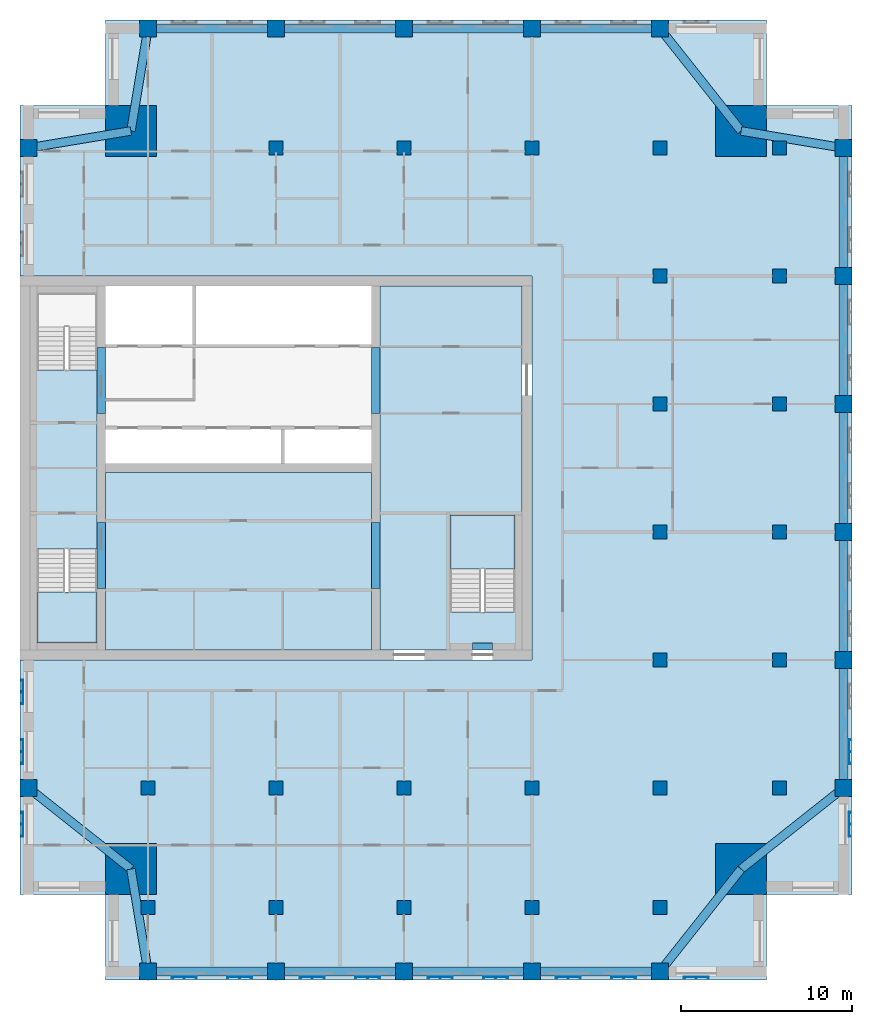
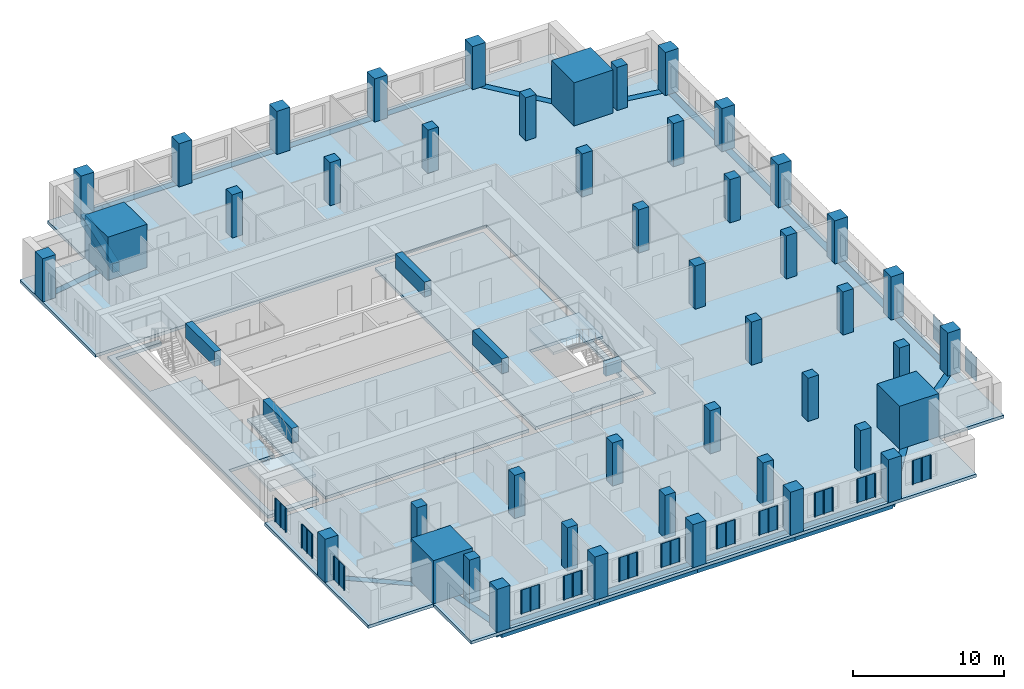
# One storey, part 1 of 10: 46 columns, 26 beams, 14 plates, 6 slabs, 2 elements without a shape of their own.
"""IFC4 building model written with IfcOpenShell, lengths in metres."""

from ifc_helpers import new_model, si_unit, direction, frame, origin, origin_2d, place, context, subcontext, project, spatial, polyline, rectangle, outline, extrude, material, layer, layer_set, material_profile, profile_set, type_object, element, aggregate, save


model = new_model("IFC4")

# Units and contexts
model_context = context("Model", 3, precision=1e-05, world=origin(), true_north=direction((0.0, 1.0)))
body_context = subcontext(model_context, "Body", "Model", "MODEL_VIEW")
ifc_project = project(units=[si_unit("LENGTHUNIT", "METRE"), si_unit("AREAUNIT", "SQUARE_METRE"), si_unit("VOLUMEUNIT", "CUBIC_METRE"), si_unit("PLANEANGLEUNIT", "RADIAN"), si_unit("MASSUNIT", "GRAM", prefix="KILO")], contexts=[model_context])

# Site, building, storey
site_placement = place(None, origin())
site = spatial("IfcSite", under=ifc_project, at=site_placement, CompositionType="ELEMENT")
building_placement = place(site_placement, origin())
building = spatial("IfcBuilding", under=site, at=building_placement, Name="Tamorin Gate", CompositionType="ELEMENT")
storey_placement = place(building_placement, frame((0.0, 0.0, 237.199951171875)))
storey = spatial("IfcBuildingStorey", under=building, at=storey_placement, Name="L59", CompositionType="ELEMENT", Elevation=237.199951171875)

# Columns
ifc_material_1 = material(Name="Concrete C50/60", Category="concrete")
ifc_material_profile_1 = material_profile(ifc_material_1, rectangle(XDim=1.0, YDim=1.0, at=origin_2d()), Name="RC 1000x1000")
ifc_profile_set_1 = profile_set([ifc_material_profile_1], Name="Concrete C50/60")
column_type_1 = type_object("IfcColumnType", Name="RC column 1000x1000 C50/60", PredefinedType="COLUMN", material=ifc_profile_set_1)
for number, where, z_axis, x_axis, name in (
    (1, (37.5, 41.75, 0.0), (0.0, 0.0, 1.0), (1.0, 0.0, 0.0), "Ring column L59"),
    (2, (45.0, 41.75, 0.0), (0.0, 0.0, 1.0), (1.0, 0.0, 0.0), "Ring column L59"),
    (3, (52.5, 41.75, 0.0), (0.0, 0.0, 1.0), (1.0, 0.0, 0.0), "Ring column L59"),
    (4, (60.0, 41.75, 0.0), (0.0, 0.0, 1.0), (1.0, 0.0, 0.0), "Ring column L59"),
    (5, (67.5, 41.75, 0.0), (0.0, 0.0, 1.0), (1.0, 0.0, 0.0), "Ring column L59"),
    (6, (78.25, 52.5, 0.0), (0.0, 0.0, 1.0), (1.0, 0.0, 0.0), "Ring column L59"),
    (7, (78.25, 60.0, 0.0), (0.0, 0.0, 1.0), (1.0, 0.0, 0.0), "Ring column L59"),
    (8, (78.25, 67.5, 0.0), (0.0, 0.0, 1.0), (1.0, 0.0, 0.0), "Ring column L59"),
    (9, (78.25, 75.0, 0.0), (0.0, 0.0, 1.0), (1.0, 0.0, 0.0), "Ring column L59"),
    (10, (78.25, 82.5, 0.0), (0.0, 0.0, 1.0), (1.0, 0.0, 0.0), "Ring column L59"),
    (11, (78.25, 90.0, 0.0), (0.0, 0.0, 1.0), (1.0, 0.0, 0.0), "Ring column L59"),
    (12, (30.5, 52.5, 0.0), (0.0, 0.0, 1.0), (1.0, 0.0, 0.0), "Ring column L59"),
    (13, (30.5, 90.0, 0.0), (0.0, 0.0, 1.0), (1.0, 0.0, 0.0), "Ring column L59"),
    (14, (37.5, 97.0, 0.0), (0.0, 0.0, 1.0), (1.0, 0.0, 0.0), "Ring column L59"),
    (15, (45.0, 97.0, 0.0), (0.0, 0.0, 1.0), (1.0, 0.0, 0.0), "Ring column L59"),
    (16, (52.5, 97.0, 0.0), (0.0, 0.0, 1.0), (1.0, 0.0, 0.0), "Ring column L59"),
    (17, (60.0, 97.0, 0.0), (0.0, 0.0, 1.0), (1.0, 0.0, 0.0), "Ring column L59"),
    (18, (67.5, 97.0, 0.0), (0.0, 0.0, 1.0), (1.0, 0.0, 0.0), "Ring column L59"),
):
    element("IfcColumn", number, at=place(storey_placement, frame(where, z_axis=z_axis, x_axis=x_axis)), inside=storey, type_object=column_type_1, Name=name, PredefinedType="COLUMN", context=body_context, shape_type="SweptSolid", body=[
        extrude(rectangle(XDim=1.0, YDim=1.0, at=origin_2d()), origin(), (0.0, 0.0, 1.0), 3.5),
    ])
ifc_material_profile_2 = material_profile(ifc_material_1, rectangle(XDim=3.0, YDim=3.0, at=origin_2d()), Name="RC 3000x3000")
ifc_profile_set_2 = profile_set([ifc_material_profile_2], Name="Concrete C50/60")
column_type_2 = type_object("IfcColumnType", Name="RC column 3000x3000 C50/60", PredefinedType="COLUMN", material=ifc_profile_set_2)
for number, where, z_axis, x_axis, name in (
    (19, (36.5, 47.75, 0.0), (0.0, 0.0, 1.0), (1.0, 0.0, 0.0), "Mega column SW L59"),
    (20, (72.25, 47.75, 0.0), (0.0, 0.0, 1.0), (1.0, 0.0, 0.0), "Mega column SE L59"),
    (21, (36.5, 91.0, 0.0), (0.0, 0.0, 1.0), (1.0, 0.0, 0.0), "Mega column NW L59"),
    (22, (72.25, 91.0, 0.0), (0.0, 0.0, 1.0), (1.0, 0.0, 0.0), "Mega column NE L59"),
):
    element("IfcColumn", number, at=place(storey_placement, frame(where, z_axis=z_axis, x_axis=x_axis)), inside=storey, type_object=column_type_2, Name=name, PredefinedType="COLUMN", context=body_context, shape_type="SweptSolid", body=[
        extrude(rectangle(XDim=3.0, YDim=3.0, at=origin_2d()), origin(), (0.0, 0.0, 1.0), 3.5),
    ])
ifc_material_profile_3 = material_profile(ifc_material_1, rectangle(XDim=0.800048828125, YDim=0.800048828125, at=origin_2d()), Name="RC 800x800")
ifc_profile_set_3 = profile_set([ifc_material_profile_3], Name="Concrete C50/60")
column_type_3 = type_object("IfcColumnType", Name="RC column 800x800 C50/60", PredefinedType="COLUMN", material=ifc_profile_set_3)
for number, where, z_axis, x_axis, name in (
    (23, (37.5, 45.5, 0.0), (0.0, 0.0, 1.0), (1.0, 0.0, 0.0), "Interior column L59"),
    (24, (37.5, 52.5, 0.0), (0.0, 0.0, 1.0), (1.0, 0.0, 0.0), "Interior column L59"),
    (25, (45.0, 45.5, 0.0), (0.0, 0.0, 1.0), (1.0, 0.0, 0.0), "Interior column L59"),
    (26, (45.0, 52.5, 0.0), (0.0, 0.0, 1.0), (1.0, 0.0, 0.0), "Interior column L59"),
    (27, (45.0, 90.0, 0.0), (0.0, 0.0, 1.0), (1.0, 0.0, 0.0), "Interior column L59"),
    (28, (52.5, 45.5, 0.0), (0.0, 0.0, 1.0), (1.0, 0.0, 0.0), "Interior column L59"),
    (29, (52.5, 52.5, 0.0), (0.0, 0.0, 1.0), (1.0, 0.0, 0.0), "Interior column L59"),
    (30, (52.5, 90.0, 0.0), (0.0, 0.0, 1.0), (1.0, 0.0, 0.0), "Interior column L59"),
    (31, (60.0, 45.5, 0.0), (0.0, 0.0, 1.0), (1.0, 0.0, 0.0), "Interior column L59"),
    (32, (60.0, 52.5, 0.0), (0.0, 0.0, 1.0), (1.0, 0.0, 0.0), "Interior column L59"),
    (33, (60.0, 90.0, 0.0), (0.0, 0.0, 1.0), (1.0, 0.0, 0.0), "Interior column L59"),
    (34, (67.5, 45.5, 0.0), (0.0, 0.0, 1.0), (1.0, 0.0, 0.0), "Interior column L59"),
    (35, (67.5, 52.5, 0.0), (0.0, 0.0, 1.0), (1.0, 0.0, 0.0), "Interior column L59"),
    (36, (67.5, 60.0, 0.0), (0.0, 0.0, 1.0), (1.0, 0.0, 0.0), "Interior column L59"),
    (37, (67.5, 67.5, 0.0), (0.0, 0.0, 1.0), (1.0, 0.0, 0.0), "Interior column L59"),
    (38, (67.5, 75.0, 0.0), (0.0, 0.0, 1.0), (1.0, 0.0, 0.0), "Interior column L59"),
    (39, (67.5, 82.5, 0.0), (0.0, 0.0, 1.0), (1.0, 0.0, 0.0), "Interior column L59"),
    (40, (67.5, 90.0, 0.0), (0.0, 0.0, 1.0), (1.0, 0.0, 0.0), "Interior column L59"),
    (41, (74.5, 52.5, 0.0), (0.0, 0.0, 1.0), (1.0, 0.0, 0.0), "Interior column L59"),
    (42, (74.5, 60.0, 0.0), (0.0, 0.0, 1.0), (1.0, 0.0, 0.0), "Interior column L59"),
    (43, (74.5, 67.5, 0.0), (0.0, 0.0, 1.0), (1.0, 0.0, 0.0), "Interior column L59"),
    (44, (74.5, 75.0, 0.0), (0.0, 0.0, 1.0), (1.0, 0.0, 0.0), "Interior column L59"),
    (45, (74.5, 82.5, 0.0), (0.0, 0.0, 1.0), (1.0, 0.0, 0.0), "Interior column L59"),
    (46, (74.5, 90.0, 0.0), (0.0, 0.0, 1.0), (1.0, 0.0, 0.0), "Interior column L59"),
):
    element("IfcColumn", number, at=place(storey_placement, frame(where, z_axis=z_axis, x_axis=x_axis)), inside=storey, type_object=column_type_3, Name=name, PredefinedType="COLUMN", context=body_context, shape_type="SweptSolid", body=[
        extrude(rectangle(XDim=0.800048828125, YDim=0.800048828125, at=origin_2d()), origin(), (0.0, 0.0, 1.0), 3.5),
    ])

# Beams
ifc_material_profile_4 = material_profile(ifc_material_1, rectangle(XDim=0.5, YDim=1.199951171875, at=origin_2d()), Name="RC 500x1200")
ifc_profile_set_4 = profile_set([ifc_material_profile_4], Name="Concrete C50/60")
beam_type_1 = type_object("IfcBeamType", Name="RC coupling beam 500x1200 C50/60", PredefinedType="BEAM", material=ifc_profile_set_4)
for number, where, z_axis, x_axis, name in (
    (47, (34.75, 64.199951171875, 2.900146484375), (0.0, 1.0, 0.0), (-1.0, 0.0, 0.0), "Coupling beam L59"),
    (48, (34.75, 74.449951171875, 2.900146484375), (0.0, 1.0, 0.0), (-1.0, 0.0, 0.0), "Coupling beam L59"),
    (49, (50.85009765625, 64.199951171875, 2.900146484375), (0.0, 1.0, 0.0), (-1.0, 0.0, 0.0), "Coupling beam L59"),
    (50, (50.85009765625, 74.449951171875, 2.900146484375), (0.0, 1.0, 0.0), (-1.0, 0.0, 0.0), "Coupling beam L59"),
):
    element("IfcBeam", number, at=place(storey_placement, frame(where, z_axis=z_axis, x_axis=x_axis)), inside=storey, type_object=beam_type_1, Name=name, PredefinedType="BEAM", context=body_context, shape_type="SweptSolid", body=[
        extrude(rectangle(XDim=0.5, YDim=1.199951171875, at=origin_2d()), origin(), (0.0, 0.0, 1.0), 3.85009765625),
    ])
ifc_material_profile_5 = material_profile(ifc_material_1, rectangle(XDim=0.5, YDim=0.75, at=origin_2d()), Name="RC 500x750")
ifc_profile_set_5 = profile_set([ifc_material_profile_5], Name="Concrete C50/60")
beam_type_2 = type_object("IfcBeamType", Name="RC spandrel 500x750 C50/60", PredefinedType="BEAM", material=ifc_profile_set_5)
for number, where, z_axis, x_axis, name in (
    (51, (37.5, 41.75, -0.375), (1.0, 0.0, 0.0), (0.0, 1.0, 0.0), "Spandrel beam L59"),
    (52, (45.0, 41.75, -0.375), (1.0, 0.0, 0.0), (0.0, 1.0, 0.0), "Spandrel beam L59"),
    (53, (52.5, 41.75, -0.375), (1.0, 0.0, 0.0), (0.0, 1.0, 0.0), "Spandrel beam L59"),
    (54, (60.0, 41.75, -0.375), (1.0, 0.0, 0.0), (0.0, 1.0, 0.0), "Spandrel beam L59"),
    (55, (78.25, 52.5, -0.375), (0.0, 1.0, 0.0), (-1.0, 0.0, 0.0), "Spandrel beam L59"),
    (56, (78.25, 60.0, -0.375), (0.0, 1.0, 0.0), (-1.0, 0.0, 0.0), "Spandrel beam L59"),
    (57, (78.25, 67.5, -0.375), (0.0, 1.0, 0.0), (-1.0, 0.0, 0.0), "Spandrel beam L59"),
    (58, (78.25, 75.0, -0.375), (0.0, 1.0, 0.0), (-1.0, 0.0, 0.0), "Spandrel beam L59"),
    (59, (78.25, 82.5, -0.375), (0.0, 1.0, 0.0), (-1.0, 0.0, 0.0), "Spandrel beam L59"),
    (60, (67.5, 97.0, -0.375), (-1.0, 0.0, 0.0), (0.0, -1.0, 0.0), "Spandrel beam L59"),
    (61, (60.0, 97.0, -0.375), (-1.0, 0.0, 0.0), (0.0, -1.0, 0.0), "Spandrel beam L59"),
    (62, (52.5, 97.0, -0.375), (-1.0, 0.0, 0.0), (0.0, -1.0, 0.0), "Spandrel beam L59"),
    (63, (45.0, 97.0, -0.375), (-1.0, 0.0, 0.0), (0.0, -1.0, 0.0), "Spandrel beam L59"),
):
    element("IfcBeam", number, at=place(storey_placement, frame(where, z_axis=z_axis, x_axis=x_axis)), inside=storey, type_object=beam_type_2, Name=name, PredefinedType="BEAM", context=body_context, shape_type="SweptSolid", body=[
        extrude(rectangle(XDim=0.5, YDim=0.75, at=origin_2d()), origin(), (0.0, 0.0, 1.0), 7.5),
    ])
beam_1_placement = place(storey_placement, frame((36.5, 47.75, -0.375), z_axis=(0.164398987305, -0.986393923832, 0.0), x_axis=(0.986393923832, 0.164398987305, 0.0)))
element("IfcBeam", 64, at=beam_1_placement, inside=storey, type_object=beam_type_2, Name="Corner tie beam L59", PredefinedType="BEAM", context=body_context, shape_type="SweptSolid", body=[
    extrude(rectangle(XDim=0.5, YDim=0.75, at=origin_2d()), origin(), (0.0, 0.0, 1.0), 6.082763671875),
])
for number, where, z_axis, x_axis, name in (
    (65, (36.5, 47.75, -0.375), (-0.784045824462, 0.620702944366, 0.0), (-0.620702944366, -0.784045824462, 0.0), "Corner tie beam L59"),
    (66, (72.25, 47.75, -0.375), (-0.620702944366, -0.784045824462, 0.0), (0.784045824462, -0.620702944366, 0.0), "Corner tie beam L59"),
    (67, (72.25, 47.75, -0.375), (0.784045824462, 0.620702944366, 0.0), (-0.620702944366, 0.784045824462, 0.0), "Corner tie beam L59"),
):
    element("IfcBeam", number, at=place(storey_placement, frame(where, z_axis=z_axis, x_axis=x_axis)), inside=storey, type_object=beam_type_2, Name=name, PredefinedType="BEAM", context=body_context, shape_type="SweptSolid", body=[
        extrude(rectangle(XDim=0.5, YDim=0.75, at=origin_2d()), origin(), (0.0, 0.0, 1.0), 7.652587890625),
    ])
for number, where, z_axis, x_axis, name in (
    (68, (36.5, 91.0, -0.375), (-0.986393923832, -0.164398987305, 0.0), (0.164398987305, -0.986393923832, 0.0), "Corner tie beam L59"),
    (69, (36.5, 91.0, -0.375), (0.164398987305, 0.986393923832, 0.0), (-0.986393923832, 0.164398987305, 0.0), "Corner tie beam L59"),
    (70, (72.25, 91.0, -0.375), (0.986393923832, -0.164398987305, 0.0), (0.164398987305, 0.986393923832, 0.0), "Corner tie beam L59"),
):
    element("IfcBeam", number, at=place(storey_placement, frame(where, z_axis=z_axis, x_axis=x_axis)), inside=storey, type_object=beam_type_2, Name=name, PredefinedType="BEAM", context=body_context, shape_type="SweptSolid", body=[
        extrude(rectangle(XDim=0.5, YDim=0.75, at=origin_2d()), origin(), (0.0, 0.0, 1.0), 6.082763671875),
    ])
beam_2_placement = place(storey_placement, frame((72.25, 91.0, -0.375), z_axis=(-0.620702944366, 0.784045824462, 0.0), x_axis=(-0.784045824462, -0.620702944366, 0.0)))
element("IfcBeam", 71, at=beam_2_placement, inside=storey, type_object=beam_type_2, Name="Corner tie beam L59", PredefinedType="BEAM", context=body_context, shape_type="SweptSolid", body=[
    extrude(rectangle(XDim=0.5, YDim=0.75, at=origin_2d()), origin(), (0.0, 0.0, 1.0), 7.652587890625),
])
ifc_material_profile_6 = material_profile(ifc_material_1, rectangle(XDim=0.39990234375, YDim=1.0, at=origin_2d()))
ifc_profile_set_6 = profile_set([ifc_material_profile_6], Name="Concrete C50/60")
beam_type_3 = type_object("IfcBeamType", Name="Stair lintel 400x1000 C50/60", PredefinedType="BEAM", material=ifc_profile_set_6)
beam_3_placement = place(storey_placement, frame((56.5, 60.800048828125, 2.699951171875), z_axis=(1.0, 0.0, 0.0), x_axis=(0.0, 1.0, 0.0)))
element("IfcBeam", 72, at=beam_3_placement, inside=storey, type_object=beam_type_3, Name="Stair lintel", PredefinedType="BEAM", context=body_context, shape_type="SweptSolid", body=[
    extrude(rectangle(XDim=0.39990234375, YDim=1.0, at=origin_2d()), origin(), (0.0, 0.0, 1.0), 1.199951171875),
])

# Slabs
ifc_material_2 = material(Name="Concrete C40/50", Category="concrete")
ifc_layer_1 = layer(ifc_material_2, 0.25)
ifc_layer_set_1 = layer_set([ifc_layer_1], Name="Core floor slab 250 C40/50")
slab_type_1 = type_object("IfcSlabType", Name="Core floor slab 250 C40/50", PredefinedType="FLOOR", material=ifc_layer_set_1)
slab_1_placement = place(storey_placement, frame((0.0, 0.0, -0.25)))
element("IfcSlab", 73, at=slab_1_placement, inside=storey, type_object=slab_type_1, Name="Core floor L59", PredefinedType="FLOOR", context=body_context, shape_type="SweptSolid", body=[
    extrude(outline(polyline([(51.10009765625, 81.89990234375), (59.39990234375, 81.89990234375), (59.39990234375, 60.60009765625), (51.10009765625, 60.60009765625), (51.10009765625, 81.89990234375)]), holes=[polyline([(55.199951171875, 62.800048828125), (59.0, 62.800048828125), (59.0, 68.5), (55.199951171875, 68.5), (55.199951171875, 62.800048828125)])]), origin(), (0.0, 0.0, 1.0), 0.25),
])
slab_2_placement = place(storey_placement, frame((0.0, 0.0, -0.25)))
element("IfcSlab", 74, at=slab_2_placement, inside=storey, type_object=slab_type_1, Name="Core floor L59", PredefinedType="FLOOR", context=body_context, shape_type="SweptSolid", body=[
    extrude(outline(polyline([(50.60009765625, 71.0), (50.60009765625, 60.60009765625), (35.0, 60.60009765625), (35.0, 71.0), (50.60009765625, 71.0)])), origin(), (0.0, 0.0, 1.0), 0.25),
])
slab_3_placement = place(storey_placement, frame((0.0, 0.0, -0.25)))
element("IfcSlab", 75, at=slab_3_placement, inside=storey, type_object=slab_type_1, Name="Core floor L59", PredefinedType="FLOOR", context=body_context, shape_type="SweptSolid", body=[
    extrude(outline(polyline([(34.5, 60.60009765625), (30.60009765625, 60.60009765625), (30.60009765625, 81.89990234375), (34.5, 81.89990234375), (34.5, 81.5), (31.0, 81.5), (31.0, 77.0), (34.5, 77.0), (34.5, 66.5), (31.0, 66.5), (31.0, 61.0), (34.5, 61.0), (34.5, 60.60009765625)])), origin(), (0.0, 0.0, 1.0), 0.25),
])

# Stair, slab
stair_type = type_object("IfcStairType", Name="Exit stair", PredefinedType="HALF_TURN_STAIR", material=ifc_material_2)
stair_1_placement = place(storey_placement, origin())
stair_1 = element("IfcStair", 76, at=stair_1_placement, inside=storey, type_object=stair_type, Name="L59 stair ST1", PredefinedType="HALF_TURN_STAIR")
ifc_layer_2 = layer(ifc_material_2, 0.199951171875)
ifc_layer_set_2 = layer_set([ifc_layer_2], Name="Exit stair landing 200")
slab_type_2 = type_object("IfcSlabType", Name="Exit stair landing 200", PredefinedType="LANDING", material=ifc_layer_set_2)
slab_4_placement = place(storey_placement, frame((0.0, 0.0, 1.550048828125)))
slab_4 = element("IfcSlab", 77, at=slab_4_placement, type_object=slab_type_2, Name="ST1 landing 1", PredefinedType="LANDING", context=body_context, shape_type="SweptSolid", body=[
    extrude(outline(polyline([(31.0, 63.97998046875), (31.0, 61.0), (34.5, 61.0), (34.5, 63.97998046875), (31.0, 63.97998046875)])), origin(), (0.0, 0.0, 1.0), 0.199951171875),
])
aggregate(stair_1, [slab_4])

stair_2_placement = place(storey_placement, origin())
stair_2 = element("IfcStair", 78, at=stair_2_placement, inside=storey, type_object=stair_type, Name="L59 stair ST3", PredefinedType="HALF_TURN_STAIR")
slab_5_placement = place(storey_placement, frame((0.0, 0.0, 1.550048828125)))
slab_5 = element("IfcSlab", 79, at=slab_5_placement, type_object=slab_type_2, Name="ST3 landing 1", PredefinedType="LANDING", context=body_context, shape_type="SweptSolid", body=[
    extrude(outline(polyline([(59.0, 65.320068359375), (59.0, 68.5), (55.199951171875, 68.5), (55.199951171875, 65.320068359375), (59.0, 65.320068359375)])), origin(), (0.0, 0.0, 1.0), 0.199951171875),
])
aggregate(stair_2, [slab_5])

# Slab
ifc_layer_3 = layer(ifc_material_2, 0.25)
ifc_layer_set_3 = layer_set([ifc_layer_3], Name="Floor slab 250 C40/50")
slab_type_3 = type_object("IfcSlabType", Name="Floor slab 250 C40/50", PredefinedType="FLOOR", material=ifc_layer_set_3)
slab_6_placement = place(storey_placement, frame((0.0, 0.0, -0.25)))
element("IfcSlab", 80, at=slab_6_placement, inside=storey, type_object=slab_type_3, Name="Floor L59", PredefinedType="FLOOR", context=body_context, shape_type="SweptSolid", body=[
    extrude(outline(polyline([(30.0, 92.5), (35.0, 92.5), (35.0, 97.5), (73.75, 97.5), (73.75, 92.5), (78.75, 92.5), (78.75, 46.25), (73.75, 46.25), (73.75, 41.25), (35.0, 41.25), (35.0, 46.25), (30.0, 46.25), (30.0, 60.0), (60.0, 60.0), (60.0, 82.5), (30.0, 82.5), (30.0, 92.5)])), origin(), (0.0, 0.0, 1.0), 0.25),
])

# Plates
ifc_material_3 = material(Name="Perforated pale aluminium sheet", Category="aluminium")
ifc_layer_4 = layer(ifc_material_3, 0.0400390625)
ifc_layer_set_4 = layer_set([ifc_layer_4], Name="Pale metal solar screen 1440")
plate_type = type_object("IfcPlateType", Name="Pale metal solar screen 1440", PredefinedType="SHEET", material=ifc_layer_set_4)
plate_1_placement = place(storey_placement, frame((0.0, 0.0, 0.737548828125)))
element("IfcPlate", 81, at=plate_1_placement, inside=storey, type_object=plate_type, Name="Perforated solar screen", PredefinedType="SHEET", context=body_context, shape_type="SweptSolid", body=[
    extrude(outline(polyline([(38.905029296875, 41.409912109375), (38.905029296875, 41.449951171875), (38.965087890625, 41.449951171875), (39.594970703125, 41.449951171875), (39.655029296875, 41.449951171875), (40.284912109375, 41.449951171875), (40.344970703125, 41.449951171875), (40.344970703125, 41.449951171875), (40.344970703125, 41.409912109375), (40.344970703125, 41.409912109375), (40.344970703125, 41.35009765625), (40.284912109375, 41.35009765625), (40.284912109375, 41.409912109375), (39.655029296875, 41.409912109375), (39.655029296875, 41.35009765625), (39.594970703125, 41.35009765625), (39.594970703125, 41.409912109375), (38.965087890625, 41.409912109375), (38.965087890625, 41.35009765625), (38.905029296875, 41.35009765625), (38.905029296875, 41.409912109375)])), origin(), (0.0, 0.0, 1.0), 1.925048828125),
])
plate_2_placement = place(storey_placement, frame((0.0, 0.0, 0.737548828125)))
element("IfcPlate", 82, at=plate_2_placement, inside=storey, type_object=plate_type, Name="Perforated solar screen", PredefinedType="SHEET", context=body_context, shape_type="SweptSolid", body=[
    extrude(outline(polyline([(42.155029296875, 41.409912109375), (42.155029296875, 41.449951171875), (42.215087890625, 41.449951171875), (42.844970703125, 41.449951171875), (42.905029296875, 41.449951171875), (43.534912109375, 41.449951171875), (43.594970703125, 41.449951171875), (43.594970703125, 41.409912109375), (43.594970703125, 41.35009765625), (43.534912109375, 41.35009765625), (43.534912109375, 41.409912109375), (42.905029296875, 41.409912109375), (42.905029296875, 41.35009765625), (42.844970703125, 41.35009765625), (42.844970703125, 41.409912109375), (42.215087890625, 41.409912109375), (42.215087890625, 41.35009765625), (42.155029296875, 41.35009765625), (42.155029296875, 41.409912109375)])), origin(), (0.0, 0.0, 1.0), 1.925048828125),
])
plate_3_placement = place(storey_placement, frame((0.0, 0.0, 0.737548828125)))
element("IfcPlate", 83, at=plate_3_placement, inside=storey, type_object=plate_type, Name="Perforated solar screen", PredefinedType="SHEET", context=body_context, shape_type="SweptSolid", body=[
    extrude(outline(polyline([(46.405029296875, 41.409912109375), (46.405029296875, 41.449951171875), (46.465087890625, 41.449951171875), (47.094970703125, 41.449951171875), (47.155029296875, 41.449951171875), (47.784912109375, 41.449951171875), (47.844970703125, 41.449951171875), (47.844970703125, 41.409912109375), (47.844970703125, 41.35009765625), (47.784912109375, 41.35009765625), (47.784912109375, 41.409912109375), (47.155029296875, 41.409912109375), (47.155029296875, 41.35009765625), (47.094970703125, 41.35009765625), (47.094970703125, 41.409912109375), (46.465087890625, 41.409912109375), (46.465087890625, 41.35009765625), (46.405029296875, 41.35009765625), (46.405029296875, 41.409912109375)])), origin(), (0.0, 0.0, 1.0), 1.925048828125),
])
plate_4_placement = place(storey_placement, frame((0.0, 0.0, 0.737548828125)))
element("IfcPlate", 84, at=plate_4_placement, inside=storey, type_object=plate_type, Name="Perforated solar screen", PredefinedType="SHEET", context=body_context, shape_type="SweptSolid", body=[
    extrude(outline(polyline([(49.655029296875, 41.409912109375), (49.655029296875, 41.449951171875), (49.715087890625, 41.449951171875), (50.344970703125, 41.449951171875), (50.405029296875, 41.449951171875), (51.034912109375, 41.449951171875), (51.094970703125, 41.449951171875), (51.094970703125, 41.409912109375), (51.094970703125, 41.35009765625), (51.034912109375, 41.35009765625), (51.034912109375, 41.409912109375), (50.405029296875, 41.409912109375), (50.405029296875, 41.35009765625), (50.344970703125, 41.35009765625), (50.344970703125, 41.409912109375), (49.715087890625, 41.409912109375), (49.715087890625, 41.35009765625), (49.655029296875, 41.35009765625), (49.655029296875, 41.409912109375)])), origin(), (0.0, 0.0, 1.0), 1.925048828125),
])
plate_5_placement = place(storey_placement, frame((0.0, 0.0, 0.737548828125)))
element("IfcPlate", 85, at=plate_5_placement, inside=storey, type_object=plate_type, Name="Perforated solar screen", PredefinedType="SHEET", context=body_context, shape_type="SweptSolid", body=[
    extrude(outline(polyline([(53.905029296875, 41.409912109375), (53.905029296875, 41.449951171875), (53.965087890625, 41.449951171875), (54.594970703125, 41.449951171875), (54.655029296875, 41.449951171875), (55.284912109375, 41.449951171875), (55.344970703125, 41.449951171875), (55.344970703125, 41.409912109375), (55.344970703125, 41.35009765625), (55.284912109375, 41.35009765625), (55.284912109375, 41.409912109375), (54.655029296875, 41.409912109375), (54.655029296875, 41.35009765625), (54.594970703125, 41.35009765625), (54.594970703125, 41.409912109375), (53.965087890625, 41.409912109375), (53.965087890625, 41.35009765625), (53.905029296875, 41.35009765625), (53.905029296875, 41.409912109375)])), origin(), (0.0, 0.0, 1.0), 1.925048828125),
])
plate_6_placement = place(storey_placement, frame((0.0, 0.0, 0.737548828125)))
element("IfcPlate", 86, at=plate_6_placement, inside=storey, type_object=plate_type, Name="Perforated solar screen", PredefinedType="SHEET", context=body_context, shape_type="SweptSolid", body=[
    extrude(outline(polyline([(57.155029296875, 41.409912109375), (57.155029296875, 41.449951171875), (57.215087890625, 41.449951171875), (57.844970703125, 41.449951171875), (57.905029296875, 41.449951171875), (58.534912109375, 41.449951171875), (58.594970703125, 41.449951171875), (58.594970703125, 41.409912109375), (58.594970703125, 41.35009765625), (58.534912109375, 41.35009765625), (58.534912109375, 41.409912109375), (57.905029296875, 41.409912109375), (57.905029296875, 41.35009765625), (57.844970703125, 41.35009765625), (57.844970703125, 41.409912109375), (57.215087890625, 41.409912109375), (57.215087890625, 41.35009765625), (57.155029296875, 41.35009765625), (57.155029296875, 41.409912109375)])), origin(), (0.0, 0.0, 1.0), 1.925048828125),
])
plate_7_placement = place(storey_placement, frame((0.0, 0.0, 0.737548828125)))
element("IfcPlate", 87, at=plate_7_placement, inside=storey, type_object=plate_type, Name="Perforated solar screen", PredefinedType="SHEET", context=body_context, shape_type="SweptSolid", body=[
    extrude(outline(polyline([(61.405029296875, 41.409912109375), (61.405029296875, 41.449951171875), (61.465087890625, 41.449951171875), (62.094970703125, 41.449951171875), (62.155029296875, 41.449951171875), (62.784912109375, 41.449951171875), (62.844970703125, 41.449951171875), (62.844970703125, 41.409912109375), (62.844970703125, 41.35009765625), (62.784912109375, 41.35009765625), (62.784912109375, 41.409912109375), (62.155029296875, 41.409912109375), (62.155029296875, 41.35009765625), (62.094970703125, 41.35009765625), (62.094970703125, 41.409912109375), (61.465087890625, 41.409912109375), (61.465087890625, 41.35009765625), (61.405029296875, 41.35009765625), (61.405029296875, 41.409912109375)])), origin(), (0.0, 0.0, 1.0), 1.925048828125),
])
plate_8_placement = place(storey_placement, frame((0.0, 0.0, 0.737548828125)))
element("IfcPlate", 88, at=plate_8_placement, inside=storey, type_object=plate_type, Name="Perforated solar screen", PredefinedType="SHEET", context=body_context, shape_type="SweptSolid", body=[
    extrude(outline(polyline([(64.655029296875, 41.409912109375), (64.655029296875, 41.449951171875), (64.715087890625, 41.449951171875), (65.344970703125, 41.449951171875), (65.405029296875, 41.449951171875), (66.034912109375, 41.449951171875), (66.094970703125, 41.449951171875), (66.094970703125, 41.409912109375), (66.094970703125, 41.35009765625), (66.034912109375, 41.35009765625), (66.034912109375, 41.409912109375), (65.405029296875, 41.409912109375), (65.405029296875, 41.35009765625), (65.344970703125, 41.35009765625), (65.344970703125, 41.409912109375), (64.715087890625, 41.409912109375), (64.715087890625, 41.35009765625), (64.655029296875, 41.35009765625), (64.655029296875, 41.409912109375)])), origin(), (0.0, 0.0, 1.0), 1.925048828125),
])
plate_9_placement = place(storey_placement, frame((0.0, 0.0, 0.737548828125)))
element("IfcPlate", 89, at=plate_9_placement, inside=storey, type_object=plate_type, Name="Perforated solar screen", PredefinedType="SHEET", context=body_context, shape_type="SweptSolid", body=[
    extrude(outline(polyline([(68.905029296875, 41.409912109375), (68.905029296875, 41.449951171875), (68.965087890625, 41.449951171875), (69.594970703125, 41.449951171875), (69.655029296875, 41.449951171875), (70.284912109375, 41.449951171875), (70.344970703125, 41.449951171875), (70.344970703125, 41.409912109375), (70.344970703125, 41.35009765625), (70.284912109375, 41.35009765625), (70.284912109375, 41.409912109375), (69.655029296875, 41.409912109375), (69.655029296875, 41.35009765625), (69.594970703125, 41.35009765625), (69.594970703125, 41.409912109375), (68.965087890625, 41.409912109375), (68.965087890625, 41.35009765625), (68.905029296875, 41.35009765625), (68.905029296875, 41.409912109375)])), origin(), (0.0, 0.0, 1.0), 1.925048828125),
])
plate_10_placement = place(storey_placement, frame((0.0, 0.0, 0.737548828125)))
element("IfcPlate", 90, at=plate_10_placement, inside=storey, type_object=plate_type, Name="Perforated solar screen", PredefinedType="SHEET", context=body_context, shape_type="SweptSolid", body=[
    extrude(outline(polyline([(78.590087890625, 49.655029296875), (78.550048828125, 49.655029296875), (78.550048828125, 49.715087890625), (78.550048828125, 50.344970703125), (78.550048828125, 50.405029296875), (78.550048828125, 51.034912109375), (78.550048828125, 51.094970703125), (78.550048828125, 51.094970703125), (78.590087890625, 51.094970703125), (78.590087890625, 51.094970703125), (78.64990234375, 51.094970703125), (78.64990234375, 51.034912109375), (78.590087890625, 51.034912109375), (78.590087890625, 50.405029296875), (78.64990234375, 50.405029296875), (78.64990234375, 50.344970703125), (78.590087890625, 50.344970703125), (78.590087890625, 49.715087890625), (78.64990234375, 49.715087890625), (78.64990234375, 49.655029296875), (78.590087890625, 49.655029296875)])), origin(), (0.0, 0.0, 1.0), 1.925048828125),
])
plate_11_placement = place(storey_placement, frame((0.0, 0.0, 0.737548828125)))
element("IfcPlate", 91, at=plate_11_placement, inside=storey, type_object=plate_type, Name="Perforated solar screen", PredefinedType="SHEET", context=body_context, shape_type="SweptSolid", body=[
    extrude(outline(polyline([(78.590087890625, 53.905029296875), (78.550048828125, 53.905029296875), (78.550048828125, 53.965087890625), (78.550048828125, 54.594970703125), (78.550048828125, 54.655029296875), (78.550048828125, 55.284912109375), (78.550048828125, 55.344970703125), (78.590087890625, 55.344970703125), (78.64990234375, 55.344970703125), (78.64990234375, 55.284912109375), (78.590087890625, 55.284912109375), (78.590087890625, 54.655029296875), (78.64990234375, 54.655029296875), (78.64990234375, 54.594970703125), (78.590087890625, 54.594970703125), (78.590087890625, 53.965087890625), (78.64990234375, 53.965087890625), (78.64990234375, 53.905029296875), (78.590087890625, 53.905029296875)])), origin(), (0.0, 0.0, 1.0), 1.925048828125),
])
plate_12_placement = place(storey_placement, frame((0.0, 0.0, 0.737548828125)))
element("IfcPlate", 92, at=plate_12_placement, inside=storey, type_object=plate_type, Name="Perforated solar screen", PredefinedType="SHEET", context=body_context, shape_type="SweptSolid", body=[
    extrude(outline(polyline([(30.159912109375, 55.344970703125), (30.199951171875, 55.344970703125), (30.199951171875, 55.284912109375), (30.199951171875, 54.655029296875), (30.199951171875, 54.594970703125), (30.199951171875, 53.965087890625), (30.199951171875, 53.905029296875), (30.159912109375, 53.905029296875), (30.10009765625, 53.905029296875), (30.10009765625, 53.965087890625), (30.159912109375, 53.965087890625), (30.159912109375, 54.594970703125), (30.10009765625, 54.594970703125), (30.10009765625, 54.655029296875), (30.159912109375, 54.655029296875), (30.159912109375, 55.284912109375), (30.10009765625, 55.284912109375), (30.10009765625, 55.344970703125), (30.159912109375, 55.344970703125)])), origin(), (0.0, 0.0, 1.0), 1.925048828125),
])
plate_13_placement = place(storey_placement, frame((0.0, 0.0, 0.737548828125)))
element("IfcPlate", 93, at=plate_13_placement, inside=storey, type_object=plate_type, Name="Perforated solar screen", PredefinedType="SHEET", context=body_context, shape_type="SweptSolid", body=[
    extrude(outline(polyline([(30.159912109375, 58.844970703125), (30.199951171875, 58.844970703125), (30.199951171875, 58.784912109375), (30.199951171875, 58.155029296875), (30.199951171875, 58.094970703125), (30.199951171875, 57.465087890625), (30.199951171875, 57.405029296875), (30.159912109375, 57.405029296875), (30.10009765625, 57.405029296875), (30.10009765625, 57.465087890625), (30.159912109375, 57.465087890625), (30.159912109375, 58.094970703125), (30.10009765625, 58.094970703125), (30.10009765625, 58.155029296875), (30.159912109375, 58.155029296875), (30.159912109375, 58.784912109375), (30.10009765625, 58.784912109375), (30.10009765625, 58.844970703125), (30.159912109375, 58.844970703125)])), origin(), (0.0, 0.0, 1.0), 1.925048828125),
])
plate_14_placement = place(storey_placement, frame((0.0, 0.0, 0.737548828125)))
element("IfcPlate", 94, at=plate_14_placement, inside=storey, type_object=plate_type, Name="Perforated solar screen", PredefinedType="SHEET", context=body_context, shape_type="SweptSolid", body=[
    extrude(outline(polyline([(30.159912109375, 51.094970703125), (30.199951171875, 51.094970703125), (30.199951171875, 51.034912109375), (30.199951171875, 50.405029296875), (30.199951171875, 50.344970703125), (30.199951171875, 49.715087890625), (30.199951171875, 49.655029296875), (30.159912109375, 49.655029296875), (30.10009765625, 49.655029296875), (30.10009765625, 49.715087890625), (30.159912109375, 49.715087890625), (30.159912109375, 50.344970703125), (30.10009765625, 50.344970703125), (30.10009765625, 50.405029296875), (30.159912109375, 50.405029296875), (30.159912109375, 51.034912109375), (30.10009765625, 51.034912109375), (30.10009765625, 51.094970703125), (30.159912109375, 51.094970703125)])), origin(), (0.0, 0.0, 1.0), 1.925048828125),
])

save(model, "model.ifc")
